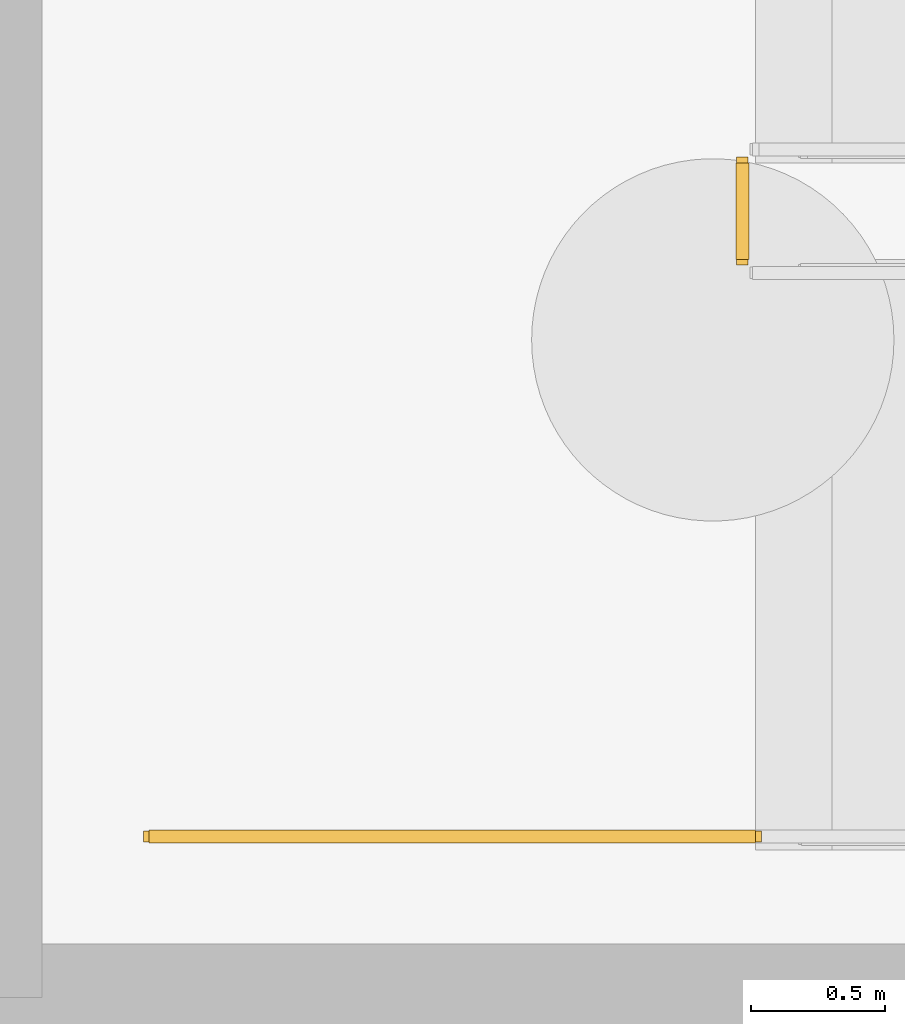
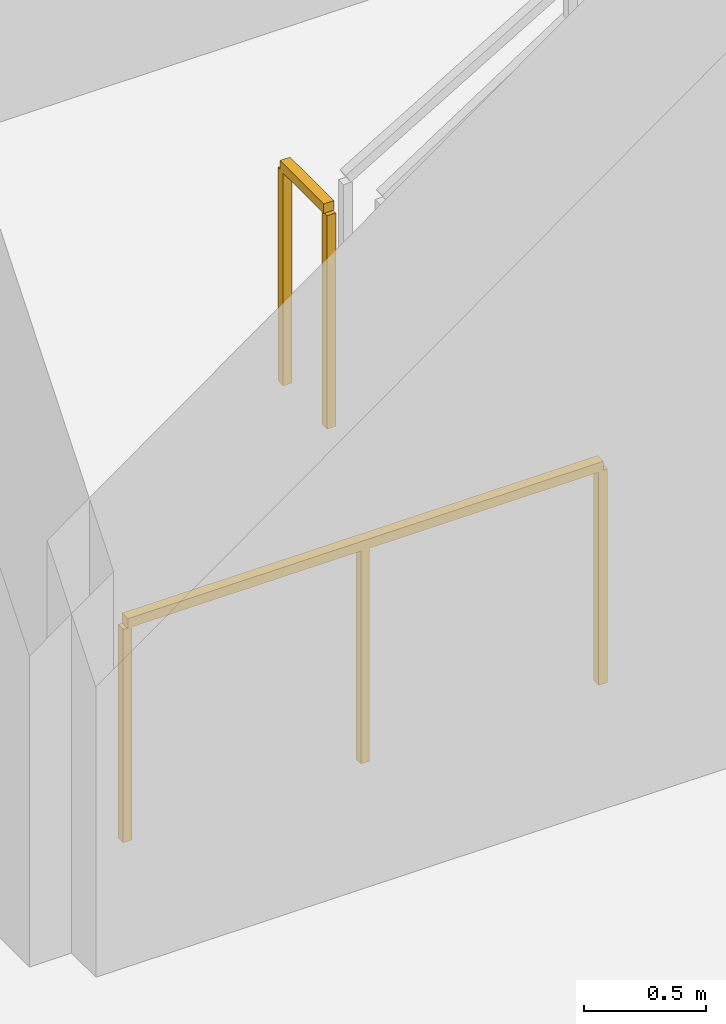
# One storey, part 60 of 65: 2 railings.
"""IFC4 building model written with IfcOpenShell, lengths in metres."""

from ifc_helpers import new_model, si_unit, direction, frame, origin, origin_2d, place, context, subcontext, project, spatial, rectangle, extrude, material, type_object, element, save


model = new_model("IFC4")

# Units and contexts
model_context = context("Model", 3, precision=1e-05, world=origin(), true_north=direction((0.0, 1.0)))
body_context = subcontext(model_context, "Body", "Model", "MODEL_VIEW")
ifc_project = project(units=[si_unit("LENGTHUNIT", "METRE"), si_unit("AREAUNIT", "SQUARE_METRE"), si_unit("VOLUMEUNIT", "CUBIC_METRE"), si_unit("PLANEANGLEUNIT", "RADIAN"), si_unit("MASSUNIT", "GRAM", prefix="KILO")], contexts=[model_context])

# Site, building, storey
site_placement = place(None, origin())
site = spatial("IfcSite", under=ifc_project, at=site_placement, CompositionType="ELEMENT")
building_placement = place(site_placement, origin())
building = spatial("IfcBuilding", under=site, at=building_placement, Name="Khorjan Park Terminus", CompositionType="ELEMENT")
storey_placement = place(building_placement, frame((0.0, 0.0, -5.4)))
storey = spatial("IfcBuildingStorey", under=building, at=storey_placement, Name="B1", CompositionType="ELEMENT", Elevation=-5.4)

# Railings
ifc_material = material(Name="Steel S355", Category="steel")
railing_type = type_object("IfcRailingType", Name="GR-112", PredefinedType="GUARDRAIL", material=ifc_material)
railing_1_placement = place(storey_placement, frame((118.01, 30.75, 0.0)))
element("IfcRailing", 1, at=railing_1_placement, inside=storey, type_object=railing_type, Name="B1 ST-02 stair guard 6", PredefinedType="GUARDRAIL", context=body_context, shape_type="SweptSolid", body=[
    extrude(rectangle(XDim=0.048, YDim=0.048, at=origin_2d()), frame((0.0, 0.0, 1.096), z_axis=(0.0, 1.0, 0.0), x_axis=(-1.0, 0.0, 0.0)), (0.0, 0.0, 1.0), 0.36),
    extrude(rectangle(XDim=0.042, YDim=0.042, at=origin_2d()), origin(), (0.0, 0.0, 1.0), 1.072),
    extrude(rectangle(XDim=0.042, YDim=0.042, at=origin_2d()), frame((0.0, 0.36, 0.0)), (0.0, 0.0, 1.0), 1.072),
])
railing_2_placement = place(storey_placement, frame((115.8, 28.6, 0.0)))
element("IfcRailing", 2, at=railing_2_placement, inside=storey, type_object=railing_type, Name="B1 ST-02 stair guard 7", PredefinedType="GUARDRAIL", context=body_context, shape_type="SweptSolid", body=[
    extrude(rectangle(XDim=0.048, YDim=0.048, at=origin_2d()), frame((0.0, 0.0, 1.096), z_axis=(1.0, 0.0, 0.0), x_axis=(0.0, 1.0, 0.0)), (0.0, 0.0, 1.0), 2.26),
    extrude(rectangle(XDim=0.042, YDim=0.042, at=origin_2d()), origin(), (0.0, 0.0, 1.0), 1.072),
    extrude(rectangle(XDim=0.042, YDim=0.042, at=origin_2d()), frame((1.13, 0.0, 0.0)), (0.0, 0.0, 1.0), 1.072),
    extrude(rectangle(XDim=0.042, YDim=0.042, at=origin_2d()), frame((2.26, 0.0, 0.0)), (0.0, 0.0, 1.0), 1.072),
])

save(model, "model.ifc")
